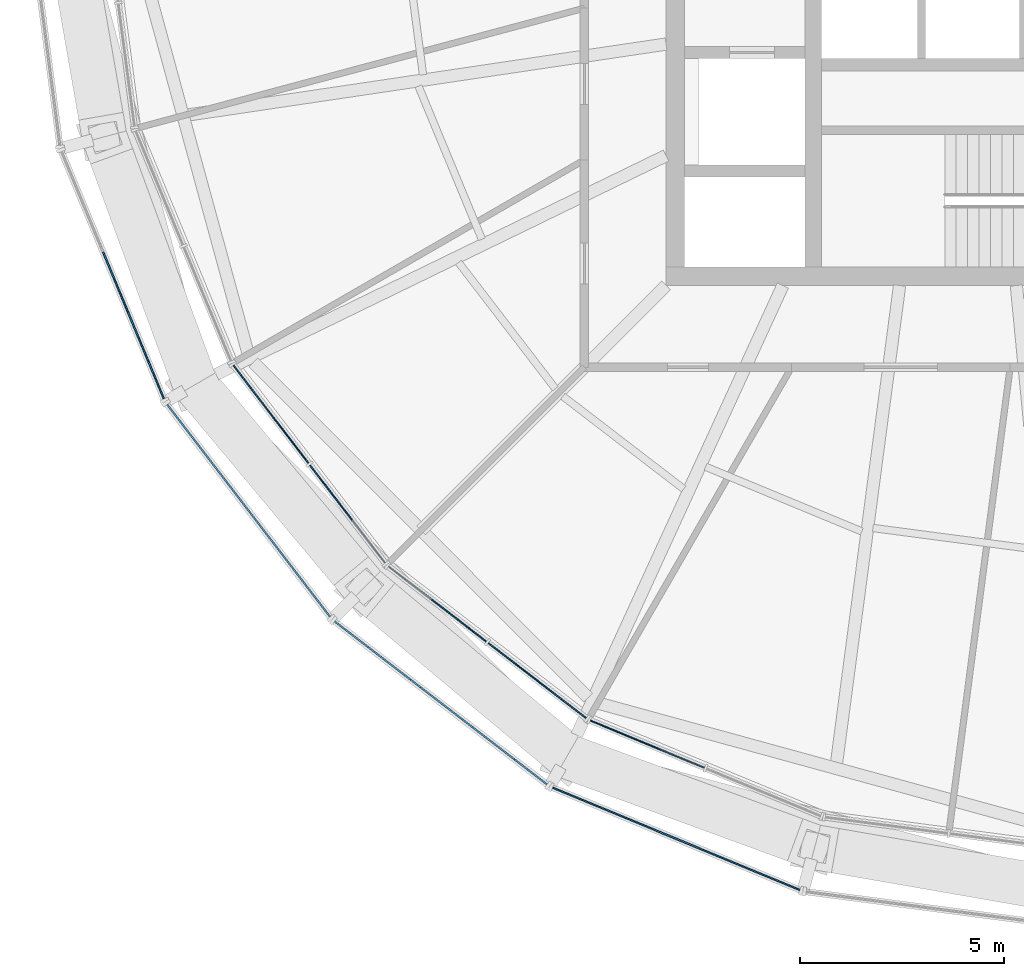
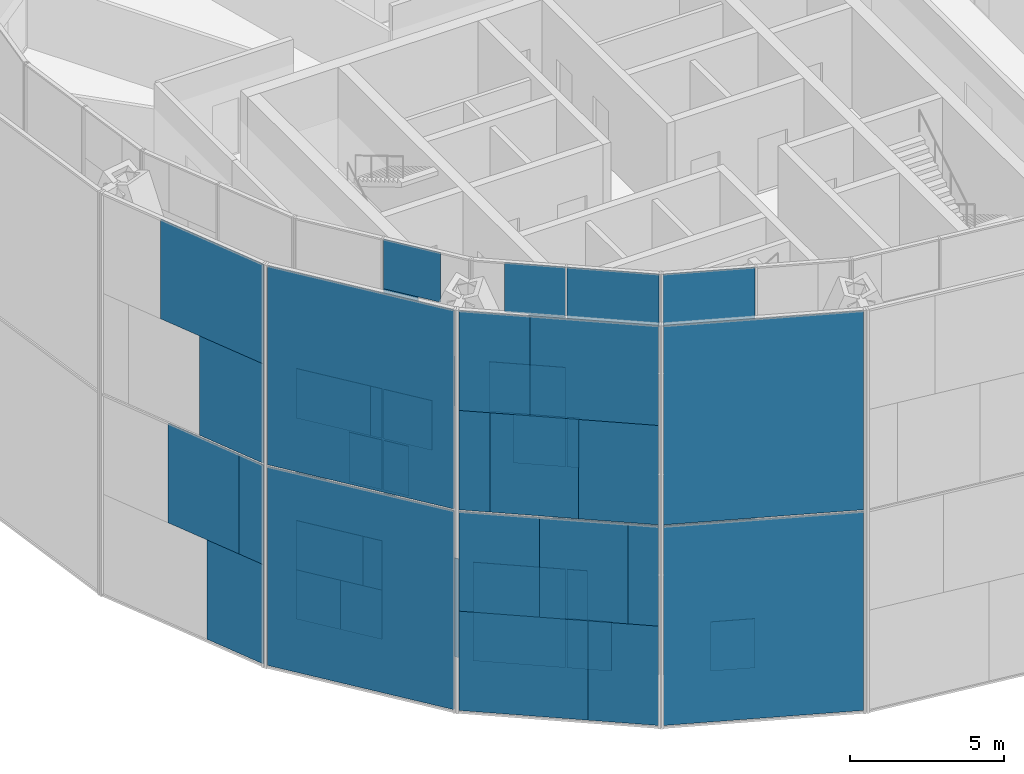
# One storey, part 12 of 28: 62 plates, 7 elements without a shape of their own.
"""IFC4 building model written with IfcOpenShell, lengths in metres."""

from ifc_helpers import new_model, si_unit, direction, frame, origin, origin_2d, place, context, subcontext, project, spatial, rectangle, extrude, material, layer, layer_set, type_object, element, aggregate, save


model = new_model("IFC4")

# Units and contexts
model_context = context("Model", 3, precision=1e-05, world=origin(), true_north=direction((0.0, 1.0)))
body_context = subcontext(model_context, "Body", "Model", "MODEL_VIEW")
ifc_project = project(units=[si_unit("LENGTHUNIT", "METRE"), si_unit("AREAUNIT", "SQUARE_METRE"), si_unit("VOLUMEUNIT", "CUBIC_METRE"), si_unit("PLANEANGLEUNIT", "RADIAN"), si_unit("MASSUNIT", "GRAM", prefix="KILO")], contexts=[model_context])

# Site, building, storey
site_placement = place(None, origin())
site = spatial("IfcSite", under=ifc_project, at=site_placement, CompositionType="ELEMENT")
building_placement = place(site_placement, origin())
building = spatial("IfcBuilding", under=site, at=building_placement, Name="Golbaran Civic Tower", CompositionType="ELEMENT")
storey_placement = place(building_placement, frame((0.0, 0.0, 183.0)))
storey = spatial("IfcBuildingStorey", under=building, at=storey_placement, Name="L44", CompositionType="ELEMENT", Elevation=183.0)

# Curtain wall, plates
ifc_material_1 = material(Name="Aluminium and glass", Category="aluminium")
curtain_wall_type_1 = type_object("IfcCurtainWallType", Name="INNER SKIN CURTAIN WALL EXECUTIVE", PredefinedType="NOTDEFINED", material=ifc_material_1)
curtain_wall_1_placement = place(storey_placement, origin())
curtain_wall_1 = element("IfcCurtainWall", 1, at=curtain_wall_1_placement, inside=storey, type_object=curtain_wall_type_1, Name="Inner skin L44 facet 15 CW2", ObjectType="INNER SKIN", PredefinedType="USERDEFINED")
ifc_material_2 = material(Name="Clear insulating glass", Category="glass")
ifc_layer_1 = layer(ifc_material_2, 0.031982421875, Name="Clear insulating glass")
ifc_layer_set_1 = layer_set([ifc_layer_1], Name="Clear insulating glass")
plate_type_1 = type_object("IfcPlateType", Name="INNER SKIN CURTAIN WALL EXECUTIVE GLAZED PANEL", PredefinedType="CURTAIN_PANEL", material=ifc_layer_set_1)
plate_1_placement = place(storey_placement, frame((-19.192138671875, -13.769287109375, 0.06005859375), z_axis=(0.0, 0.0, 1.0), x_axis=(0.608761428953, -0.793353340334, 0.0)))
plate_1 = element("IfcPlate", 2, at=plate_1_placement, type_object=plate_type_1, Name="CW2 panel 1.1 part 2", PredefinedType="CURTAIN_PANEL", context=body_context, shape_type="SweptSolid", body=[
    extrude(rectangle(XDim=1.458984375, YDim=0.031982421875, at=origin_2d()), origin(), (0.0, 0.0, 1.0), 1.955078125),
])
plate_2_placement = place(storey_placement, frame((-18.951904296875, -14.082275390625, 2.014892578125), z_axis=(0.0, 0.0, 1.0), x_axis=(0.608761428953, -0.793353340334, 0.0)))
plate_2 = element("IfcPlate", 3, at=plate_2_placement, type_object=plate_type_1, Name="CW2 panel 1.1 part 4", PredefinedType="CURTAIN_PANEL", context=body_context, shape_type="SweptSolid", body=[
    extrude(rectangle(XDim=0.670166015625, YDim=0.031982421875, at=origin_2d()), origin(), (0.0, 0.0, 1.0), 1.955078125),
])
plate_3_placement = place(storey_placement, frame((-20.2626953125, -12.3740234375, 4.02978515625), z_axis=(0.0, 0.0, 1.0), x_axis=(0.608761428953, -0.793353340334, 0.0)))
plate_3 = element("IfcPlate", 4, at=plate_3_placement, type_object=plate_type_1, Name="CW2 panel 1.2 part 1", PredefinedType="CURTAIN_PANEL", context=body_context, shape_type="SweptSolid", body=[
    extrude(rectangle(XDim=1.06005859375, YDim=0.031982421875, at=origin_2d()), origin(), (0.0, 0.0, 1.0), 1.969970703125),
])
plate_4_placement = place(storey_placement, frame((-19.788818359375, -12.99169921875, 8.02978515625), z_axis=(0.0, 0.0, 1.0), x_axis=(0.608761428953, -0.793353340334, 0.0)))
plate_4 = element("IfcPlate", 5, at=plate_4_placement, type_object=plate_type_1, Name="CW2 panel 1.3 part 1", PredefinedType="CURTAIN_PANEL", context=body_context, shape_type="SweptSolid", body=[
    extrude(rectangle(XDim=2.616943359375, YDim=0.031982421875, at=origin_2d()), origin(), (0.0, 0.0, 1.0), 1.969970703125),
])
plate_5_placement = place(storey_placement, frame((-17.792724609375, -15.5927734375, 0.06005859375), z_axis=(0.0, 0.0, 1.0), x_axis=(0.608761428953, -0.793353340334, 0.0)))
plate_5 = element("IfcPlate", 6, at=plate_5_placement, type_object=plate_type_1, Name="CW2 panel 2.1", PredefinedType="CURTAIN_PANEL", context=body_context, shape_type="SweptSolid", body=[
    extrude(rectangle(XDim=3.01806640625, YDim=0.031982421875, at=origin_2d()), origin(), (0.0, 0.0, 1.0), 3.909912109375),
])
plate_6_placement = place(storey_placement, frame((-18.34375, -14.874755859375, 12.030029296875), z_axis=(0.0, 0.0, 1.0), x_axis=(0.608761428953, -0.793353340334, 0.0)))
plate_6 = element("IfcPlate", 7, at=plate_6_placement, type_object=plate_type_1, Name="CW2 panel 2.4 part 1", PredefinedType="CURTAIN_PANEL", context=body_context, shape_type="SweptSolid", body=[
    extrude(rectangle(XDim=1.2080078125, YDim=0.031982421875, at=origin_2d()), origin(), (0.0, 0.0, 1.0), 1.955078125),
])
plate_7_placement = place(storey_placement, frame((-18.10400390625, -15.1875, 13.98486328125), z_axis=(0.0, 0.0, 1.0), x_axis=(0.608761428953, -0.793353340334, 0.0)))
plate_7 = element("IfcPlate", 8, at=plate_7_placement, type_object=plate_type_1, Name="CW2 panel 2.4 part 3", PredefinedType="CURTAIN_PANEL", context=body_context, shape_type="SweptSolid", body=[
    extrude(rectangle(XDim=1.99609375, YDim=0.031982421875, at=origin_2d()), origin(), (0.0, 0.0, 1.0), 1.955078125),
])

curtain_wall_2_placement = place(storey_placement, origin())
curtain_wall_2 = element("IfcCurtainWall", 9, at=curtain_wall_2_placement, inside=storey, type_object=curtain_wall_type_1, Name="Inner skin L44 facet 16 CW2", ObjectType="INNER SKIN", PredefinedType="USERDEFINED")
plate_8_placement = place(storey_placement, frame((-15.5927734375, -17.792724609375, 0.06005859375), z_axis=(0.0, 0.0, 1.0), x_axis=(0.793353340334, -0.608761428953, 0.0)))
plate_8 = element("IfcPlate", 10, at=plate_8_placement, type_object=plate_type_1, Name="CW2 panel 1.1", PredefinedType="CURTAIN_PANEL", context=body_context, shape_type="SweptSolid", body=[
    extrude(rectangle(XDim=3.01806640625, YDim=0.031982421875, at=origin_2d()), origin(), (0.0, 0.0, 1.0), 3.909912109375),
])
plate_9_placement = place(storey_placement, frame((-14.874755859375, -18.34375, 12.030029296875), z_axis=(0.0, 0.0, 1.0), x_axis=(0.793353340334, -0.608761428953, 0.0)))
plate_9 = element("IfcPlate", 11, at=plate_9_placement, type_object=plate_type_1, Name="CW2 panel 1.4 part 2", PredefinedType="CURTAIN_PANEL", context=body_context, shape_type="SweptSolid", body=[
    extrude(rectangle(XDim=1.2080078125, YDim=0.031982421875, at=origin_2d()), origin(), (0.0, 0.0, 1.0), 1.955078125),
])
plate_10_placement = place(storey_placement, frame((-15.1875, -18.103759765625, 13.98486328125), z_axis=(0.0, 0.0, 1.0), x_axis=(0.793353340334, -0.608761428953, 0.0)))
plate_10 = element("IfcPlate", 12, at=plate_10_placement, type_object=plate_type_1, Name="CW2 panel 1.4 part 4", PredefinedType="CURTAIN_PANEL", context=body_context, shape_type="SweptSolid", body=[
    extrude(rectangle(XDim=1.99609375, YDim=0.031982421875, at=origin_2d()), origin(), (0.0, 0.0, 1.0), 1.955078125),
])
plate_11_placement = place(storey_placement, frame((-13.769287109375, -19.192138671875, 0.06005859375), z_axis=(0.0, 0.0, 1.0), x_axis=(0.793353340334, -0.608761428953, 0.0)))
plate_11 = element("IfcPlate", 13, at=plate_11_placement, type_object=plate_type_1, Name="CW2 panel 2.1 part 1", PredefinedType="CURTAIN_PANEL", context=body_context, shape_type="SweptSolid", body=[
    extrude(rectangle(XDim=1.458984375, YDim=0.031982421875, at=origin_2d()), origin(), (0.0, 0.0, 1.0), 1.955078125),
])
plate_12_placement = place(storey_placement, frame((-14.082275390625, -18.951904296875, 2.014892578125), z_axis=(0.0, 0.0, 1.0), x_axis=(0.793353340334, -0.608761428953, 0.0)))
plate_12 = element("IfcPlate", 14, at=plate_12_placement, type_object=plate_type_1, Name="CW2 panel 2.1 part 3", PredefinedType="CURTAIN_PANEL", context=body_context, shape_type="SweptSolid", body=[
    extrude(rectangle(XDim=0.669921875, YDim=0.031982421875, at=origin_2d()), origin(), (0.0, 0.0, 1.0), 1.955078125),
])
plate_13_placement = place(storey_placement, frame((-12.3740234375, -20.2626953125, 4.02978515625), z_axis=(0.0, 0.0, 1.0), x_axis=(0.793353340334, -0.608761428953, 0.0)))
plate_13 = element("IfcPlate", 15, at=plate_13_placement, type_object=plate_type_1, Name="CW2 panel 2.2 part 2", PredefinedType="CURTAIN_PANEL", context=body_context, shape_type="SweptSolid", body=[
    extrude(rectangle(XDim=1.06005859375, YDim=0.031982421875, at=origin_2d()), origin(), (0.0, 0.0, 1.0), 1.969970703125),
])
plate_14_placement = place(storey_placement, frame((-12.689453125, -20.0205078125, 6.0), z_axis=(0.0, 0.0, 1.0), x_axis=(0.793353340334, -0.608761428953, 0.0)))
plate_14 = element("IfcPlate", 16, at=plate_14_placement, type_object=plate_type_1, Name="CW2 panel 2.2 part 4", PredefinedType="CURTAIN_PANEL", context=body_context, shape_type="SweptSolid", body=[
    extrude(rectangle(XDim=1.85498046875, YDim=0.031982421875, at=origin_2d()), origin(), (0.0, 0.0, 1.0), 1.969970703125),
])
plate_15_placement = place(storey_placement, frame((-12.99169921875, -19.78857421875, 8.02978515625), z_axis=(0.0, 0.0, 1.0), x_axis=(0.793353340334, -0.608761428953, 0.0)))
plate_15 = element("IfcPlate", 17, at=plate_15_placement, type_object=plate_type_1, Name="CW2 panel 2.3 part 2", PredefinedType="CURTAIN_PANEL", context=body_context, shape_type="SweptSolid", body=[
    extrude(rectangle(XDim=2.6171875, YDim=0.031982421875, at=origin_2d()), origin(), (0.0, 0.0, 1.0), 1.969970703125),
])
plate_16_placement = place(storey_placement, frame((-13.15087890625, -19.66650390625, 10.0), z_axis=(0.0, 0.0, 1.0), x_axis=(0.793353340334, -0.608761428953, 0.0)))
plate_16 = element("IfcPlate", 18, at=plate_16_placement, type_object=plate_type_1, Name="CW2 panel 2.3 part 3", PredefinedType="CURTAIN_PANEL", context=body_context, shape_type="SweptSolid", body=[
    extrude(rectangle(XDim=3.01806640625, YDim=0.031982421875, at=origin_2d()), origin(), (0.0, 0.0, 1.0), 1.969970703125),
])
plate_17_placement = place(storey_placement, frame((-13.15087890625, -19.66650390625, 12.0302734375), z_axis=(0.0, 0.0, 1.0), x_axis=(0.793353340334, -0.608761428953, 0.0)))
plate_17 = element("IfcPlate", 19, at=plate_17_placement, type_object=plate_type_1, Name="CW2 panel 2.4", PredefinedType="CURTAIN_PANEL", context=body_context, shape_type="SweptSolid", body=[
    extrude(rectangle(XDim=3.01806640625, YDim=0.031982421875, at=origin_2d()), origin(), (0.0, 0.0, 1.0), 3.909912109375),
])

curtain_wall_3_placement = place(storey_placement, origin())
curtain_wall_3 = element("IfcCurtainWall", 20, at=curtain_wall_3_placement, inside=storey, type_object=curtain_wall_type_1, Name="Inner skin L44 facet 17 CW2", ObjectType="INNER SKIN", PredefinedType="USERDEFINED")
plate_18_placement = place(storey_placement, frame((-9.736328125, -21.5205078125, 0.06005859375), z_axis=(0.0, 0.0, 1.0), x_axis=(0.923879532491, -0.382683432413, 0.0)))
plate_18 = element("IfcPlate", 21, at=plate_18_placement, type_object=plate_type_1, Name="CW2 panel 1.1 part 2", PredefinedType="CURTAIN_PANEL", context=body_context, shape_type="SweptSolid", body=[
    extrude(rectangle(XDim=1.458984375, YDim=0.031982421875, at=origin_2d()), origin(), (0.0, 0.0, 1.0), 1.955078125),
])
plate_19_placement = place(storey_placement, frame((-11.36083984375, -20.84765625, 4.02978515625), z_axis=(0.0, 0.0, 1.0), x_axis=(0.923879532491, -0.382683432413, 0.0)))
plate_19 = element("IfcPlate", 22, at=plate_19_placement, type_object=plate_type_1, Name="CW2 panel 1.2 part 1", PredefinedType="CURTAIN_PANEL", context=body_context, shape_type="SweptSolid", body=[
    extrude(rectangle(XDim=1.06005859375, YDim=0.031982421875, at=origin_2d()), origin(), (0.0, 0.0, 1.0), 1.969970703125),
])
plate_20_placement = place(storey_placement, frame((-10.99365234375, -20.999755859375, 6.0), z_axis=(0.0, 0.0, 1.0), x_axis=(0.923879532491, -0.382683432413, 0.0)))
plate_20 = element("IfcPlate", 23, at=plate_20_placement, type_object=plate_type_1, Name="CW2 panel 1.2 part 3", PredefinedType="CURTAIN_PANEL", context=body_context, shape_type="SweptSolid", body=[
    extrude(rectangle(XDim=1.85498046875, YDim=0.031982421875, at=origin_2d()), origin(), (0.0, 0.0, 1.0), 1.969970703125),
])
plate_21_placement = place(storey_placement, frame((-10.6416015625, -21.1455078125, 8.02978515625), z_axis=(0.0, 0.0, 1.0), x_axis=(0.923879532491, -0.382683432413, 0.0)))
plate_21 = element("IfcPlate", 24, at=plate_21_placement, type_object=plate_type_1, Name="CW2 panel 1.3 part 1", PredefinedType="CURTAIN_PANEL", context=body_context, shape_type="SweptSolid", body=[
    extrude(rectangle(XDim=2.616943359375, YDim=0.031982421875, at=origin_2d()), origin(), (0.0, 0.0, 1.0), 1.969970703125),
])
plate_22_placement = place(storey_placement, frame((-10.456298828125, -21.22216796875, 10.0), z_axis=(0.0, 0.0, 1.0), x_axis=(0.923879532491, -0.382683432413, 0.0)))
plate_22 = element("IfcPlate", 25, at=plate_22_placement, type_object=plate_type_1, Name="CW2 panel 1.3 part 3", PredefinedType="CURTAIN_PANEL", context=body_context, shape_type="SweptSolid", body=[
    extrude(rectangle(XDim=3.01806640625, YDim=0.031982421875, at=origin_2d()), origin(), (0.0, 0.0, 1.0), 1.969970703125),
])
plate_23_placement = place(storey_placement, frame((-10.456298828125, -21.22216796875, 12.0302734375), z_axis=(0.0, 0.0, 1.0), x_axis=(0.923879532491, -0.382683432413, 0.0)))
plate_23 = element("IfcPlate", 26, at=plate_23_placement, type_object=plate_type_1, Name="CW2 panel 1.4", PredefinedType="CURTAIN_PANEL", context=body_context, shape_type="SweptSolid", body=[
    extrude(rectangle(XDim=3.01806640625, YDim=0.031982421875, at=origin_2d()), origin(), (0.0, 0.0, 1.0), 3.909912109375),
])

# Plate
ifc_material_3 = material(Name="Aluminium faced opaque infill panel", Category="aluminium")
ifc_layer_2 = layer(ifc_material_3, 0.031982421875, Name="Aluminium faced opaque infill panel")
ifc_layer_set_2 = layer_set([ifc_layer_2], Name="Aluminium faced opaque infill panel")
plate_type_2 = type_object("IfcPlateType", Name="INNER SKIN CURTAIN WALL EXECUTIVE OPAQUE INFILL PANEL", PredefinedType="CURTAIN_PANEL", material=ifc_layer_set_2)
plate_24_placement = place(storey_placement, frame((-20.11083984375, -12.572021484375, 0.06005859375), z_axis=(0.0, 0.0, 1.0), x_axis=(0.608761428953, -0.793353340334, 0.0)))
plate_24 = element("IfcPlate", 27, at=plate_24_placement, type_object=plate_type_2, Name="CW2 infill panel 1.1 part 1", PredefinedType="CURTAIN_PANEL", context=body_context, shape_type="SweptSolid", body=[
    extrude(rectangle(XDim=1.55908203125, YDim=0.031982421875, at=origin_2d()), origin(), (0.0, 0.0, 1.0), 1.955078125),
])

plate_25_placement = place(storey_placement, frame((-19.87060546875, -12.885009765625, 2.014892578125), z_axis=(0.0, 0.0, 1.0), x_axis=(0.608761428953, -0.793353340334, 0.0)))
plate_25 = element("IfcPlate", 28, at=plate_25_placement, type_object=plate_type_2, Name="CW2 infill panel 1.1 part 3", PredefinedType="CURTAIN_PANEL", context=body_context, shape_type="SweptSolid", body=[
    extrude(rectangle(XDim=2.347900390625, YDim=0.031982421875, at=origin_2d()), origin(), (0.0, 0.0, 1.0), 1.955078125),
])

plate_26_placement = place(storey_placement, frame((-19.10205078125, -13.88671875, 6.0), z_axis=(0.0, 0.0, 1.0), x_axis=(0.608761428953, -0.793353340334, 0.0)))
plate_26 = element("IfcPlate", 29, at=plate_26_placement, type_object=plate_type_2, Name="CW2 infill panel 1.2 part 4", PredefinedType="CURTAIN_PANEL", context=body_context, shape_type="SweptSolid", body=[
    extrude(rectangle(XDim=1.1630859375, YDim=0.031982421875, at=origin_2d()), origin(), (0.0, 0.0, 1.0), 1.969970703125),
])

plate_27_placement = place(storey_placement, frame((-18.8701171875, -14.18896484375, 8.02978515625), z_axis=(0.0, 0.0, 1.0), x_axis=(0.608761428953, -0.793353340334, 0.0)))
plate_27 = element("IfcPlate", 30, at=plate_27_placement, type_object=plate_type_2, Name="CW2 infill panel 1.3 part 2", PredefinedType="CURTAIN_PANEL", context=body_context, shape_type="SweptSolid", body=[
    extrude(rectangle(XDim=0.401123046875, YDim=0.031982421875, at=origin_2d()), origin(), (0.0, 0.0, 1.0), 1.969970703125),
])

plate_28_placement = place(storey_placement, frame((-18.589599609375, -14.55419921875, 4.02978515625), z_axis=(0.0, 0.0, 1.0), x_axis=(0.608761428953, -0.793353340334, 0.0)))
plate_28 = element("IfcPlate", 31, at=plate_28_placement, type_object=plate_type_2, Name="CW2 infill panel 2.2 part 1", PredefinedType="CURTAIN_PANEL", context=body_context, shape_type="SweptSolid", body=[
    extrude(rectangle(XDim=0.39990234375, YDim=0.031982421875, at=origin_2d()), origin(), (0.0, 0.0, 1.0), 1.969970703125),
])

plate_29_placement = place(storey_placement, frame((-18.44287109375, -14.745361328125, 6.0), z_axis=(0.0, 0.0, 1.0), x_axis=(0.608761428953, -0.793353340334, 0.0)))
plate_29 = element("IfcPlate", 32, at=plate_29_placement, type_object=plate_type_2, Name="CW2 infill panel 2.2 part 3", PredefinedType="CURTAIN_PANEL", context=body_context, shape_type="SweptSolid", body=[
    extrude(rectangle(XDim=0.882080078125, YDim=0.031982421875, at=origin_2d()), origin(), (0.0, 0.0, 1.0), 1.969970703125),
])

plate_30_placement = place(storey_placement, frame((-18.193603515625, -15.0703125, 8.02978515625), z_axis=(0.0, 0.0, 1.0), x_axis=(0.608761428953, -0.793353340334, 0.0)))
plate_30 = element("IfcPlate", 33, at=plate_30_placement, type_object=plate_type_2, Name="CW2 infill panel 2.3 part 1", PredefinedType="CURTAIN_PANEL", context=body_context, shape_type="SweptSolid", body=[
    extrude(rectangle(XDim=1.700927734375, YDim=0.031982421875, at=origin_2d()), origin(), (0.0, 0.0, 1.0), 1.969970703125),
])

plate_31_placement = place(storey_placement, frame((-17.951904296875, -15.38525390625, 10.0), z_axis=(0.0, 0.0, 1.0), x_axis=(0.608761428953, -0.793353340334, 0.0)))
plate_31 = element("IfcPlate", 34, at=plate_31_placement, type_object=plate_type_2, Name="CW2 infill panel 2.3 part 3", PredefinedType="CURTAIN_PANEL", context=body_context, shape_type="SweptSolid", body=[
    extrude(rectangle(XDim=2.4951171875, YDim=0.031982421875, at=origin_2d()), origin(), (0.0, 0.0, 1.0), 1.969970703125),
])

aggregate(curtain_wall_1, [plate_24, plate_1, plate_25, plate_2, plate_3, plate_26, plate_4, plate_27, plate_5, plate_28, plate_29, plate_30, plate_31, plate_6, plate_7])

plate_32_placement = place(storey_placement, frame((-14.5546875, -18.58935546875, 4.02978515625), z_axis=(0.0, 0.0, 1.0), x_axis=(0.793353340334, -0.608761428953, 0.0)))
plate_32 = element("IfcPlate", 35, at=plate_32_placement, type_object=plate_type_2, Name="CW2 infill panel 1.2 part 2", PredefinedType="CURTAIN_PANEL", context=body_context, shape_type="SweptSolid", body=[
    extrude(rectangle(XDim=0.401123046875, YDim=0.031982421875, at=origin_2d()), origin(), (0.0, 0.0, 1.0), 1.969970703125),
])

plate_33_placement = place(storey_placement, frame((-14.74560546875, -18.44287109375, 6.0), z_axis=(0.0, 0.0, 1.0), x_axis=(0.793353340334, -0.608761428953, 0.0)))
plate_33 = element("IfcPlate", 36, at=plate_33_placement, type_object=plate_type_2, Name="CW2 infill panel 1.2 part 4", PredefinedType="CURTAIN_PANEL", context=body_context, shape_type="SweptSolid", body=[
    extrude(rectangle(XDim=0.882080078125, YDim=0.031982421875, at=origin_2d()), origin(), (0.0, 0.0, 1.0), 1.969970703125),
])

plate_34_placement = place(storey_placement, frame((-15.0703125, -18.193603515625, 8.02978515625), z_axis=(0.0, 0.0, 1.0), x_axis=(0.793353340334, -0.608761428953, 0.0)))
plate_34 = element("IfcPlate", 37, at=plate_34_placement, type_object=plate_type_2, Name="CW2 infill panel 1.3 part 2", PredefinedType="CURTAIN_PANEL", context=body_context, shape_type="SweptSolid", body=[
    extrude(rectangle(XDim=1.701171875, YDim=0.031982421875, at=origin_2d()), origin(), (0.0, 0.0, 1.0), 1.969970703125),
])

plate_35_placement = place(storey_placement, frame((-15.38525390625, -17.951904296875, 10.0), z_axis=(0.0, 0.0, 1.0), x_axis=(0.793353340334, -0.608761428953, 0.0)))
plate_35 = element("IfcPlate", 38, at=plate_35_placement, type_object=plate_type_2, Name="CW2 infill panel 1.3 part 4", PredefinedType="CURTAIN_PANEL", context=body_context, shape_type="SweptSolid", body=[
    extrude(rectangle(XDim=2.4951171875, YDim=0.031982421875, at=origin_2d()), origin(), (0.0, 0.0, 1.0), 1.969970703125),
])

plate_36_placement = place(storey_placement, frame((-12.572021484375, -20.110595703125, 0.06005859375), z_axis=(0.0, 0.0, 1.0), x_axis=(0.793353340334, -0.608761428953, 0.0)))
plate_36 = element("IfcPlate", 39, at=plate_36_placement, type_object=plate_type_2, Name="CW2 infill panel 2.1 part 2", PredefinedType="CURTAIN_PANEL", context=body_context, shape_type="SweptSolid", body=[
    extrude(rectangle(XDim=1.55908203125, YDim=0.031982421875, at=origin_2d()), origin(), (0.0, 0.0, 1.0), 1.955078125),
])

plate_37_placement = place(storey_placement, frame((-12.885009765625, -19.87060546875, 2.014892578125), z_axis=(0.0, 0.0, 1.0), x_axis=(0.793353340334, -0.608761428953, 0.0)))
plate_37 = element("IfcPlate", 40, at=plate_37_placement, type_object=plate_type_2, Name="CW2 infill panel 2.1 part 4", PredefinedType="CURTAIN_PANEL", context=body_context, shape_type="SweptSolid", body=[
    extrude(rectangle(XDim=2.34814453125, YDim=0.031982421875, at=origin_2d()), origin(), (0.0, 0.0, 1.0), 1.955078125),
])

plate_38_placement = place(storey_placement, frame((-13.5712890625, -19.343994140625, 4.02978515625), z_axis=(0.0, 0.0, 1.0), x_axis=(0.793353340334, -0.608761428953, 0.0)))
plate_38 = element("IfcPlate", 41, at=plate_38_placement, type_object=plate_type_2, Name="CW2 infill panel 2.2 part 1", PredefinedType="CURTAIN_PANEL", context=body_context, shape_type="SweptSolid", body=[
    extrude(rectangle(XDim=1.9580078125, YDim=0.031982421875, at=origin_2d()), origin(), (0.0, 0.0, 1.0), 1.969970703125),
])

plate_39_placement = place(storey_placement, frame((-13.88671875, -19.10205078125, 6.0), z_axis=(0.0, 0.0, 1.0), x_axis=(0.793353340334, -0.608761428953, 0.0)))
plate_39 = element("IfcPlate", 42, at=plate_39_placement, type_object=plate_type_2, Name="CW2 infill panel 2.2 part 3", PredefinedType="CURTAIN_PANEL", context=body_context, shape_type="SweptSolid", body=[
    extrude(rectangle(XDim=1.1630859375, YDim=0.031982421875, at=origin_2d()), origin(), (0.0, 0.0, 1.0), 1.969970703125),
])

plate_40_placement = place(storey_placement, frame((-14.18896484375, -18.8701171875, 8.02978515625), z_axis=(0.0, 0.0, 1.0), x_axis=(0.793353340334, -0.608761428953, 0.0)))
plate_40 = element("IfcPlate", 43, at=plate_40_placement, type_object=plate_type_2, Name="CW2 infill panel 2.3 part 1", PredefinedType="CURTAIN_PANEL", context=body_context, shape_type="SweptSolid", body=[
    extrude(rectangle(XDim=0.40087890625, YDim=0.031982421875, at=origin_2d()), origin(), (0.0, 0.0, 1.0), 1.969970703125),
])

aggregate(curtain_wall_2, [plate_8, plate_32, plate_33, plate_34, plate_35, plate_9, plate_10, plate_11, plate_36, plate_12, plate_37, plate_38, plate_13, plate_39, plate_14, plate_40, plate_15, plate_16, plate_17])

plate_41_placement = place(storey_placement, frame((-11.13037109375, -20.943115234375, 0.06005859375), z_axis=(0.0, 0.0, 1.0), x_axis=(0.923879532491, -0.382683432413, 0.0)))
plate_41 = element("IfcPlate", 44, at=plate_41_placement, type_object=plate_type_2, Name="CW2 infill panel 1.1 part 1", PredefinedType="CURTAIN_PANEL", context=body_context, shape_type="SweptSolid", body=[
    extrude(rectangle(XDim=1.55908203125, YDim=0.031982421875, at=origin_2d()), origin(), (0.0, 0.0, 1.0), 1.955078125),
])

plate_42_placement = place(storey_placement, frame((-10.765869140625, -21.093994140625, 2.014892578125), z_axis=(0.0, 0.0, 1.0), x_axis=(0.923879532491, -0.382683432413, 0.0)))
plate_42 = element("IfcPlate", 45, at=plate_42_placement, type_object=plate_type_2, Name="CW2 infill panel 1.1 part 3", PredefinedType="CURTAIN_PANEL", context=body_context, shape_type="SweptSolid", body=[
    extrude(rectangle(XDim=2.347900390625, YDim=0.031982421875, at=origin_2d()), origin(), (0.0, 0.0, 1.0), 1.955078125),
])

plate_43_placement = place(storey_placement, frame((-9.966796875, -21.425048828125, 4.02978515625), z_axis=(0.0, 0.0, 1.0), x_axis=(0.923879532491, -0.382683432413, 0.0)))
plate_43 = element("IfcPlate", 46, at=plate_43_placement, type_object=plate_type_2, Name="CW2 infill panel 1.2 part 2", PredefinedType="CURTAIN_PANEL", context=body_context, shape_type="SweptSolid", body=[
    extrude(rectangle(XDim=1.9580078125, YDim=0.031982421875, at=origin_2d()), origin(), (0.0, 0.0, 1.0), 1.969970703125),
])

aggregate(curtain_wall_3, [plate_41, plate_18, plate_42, plate_19, plate_43, plate_20, plate_21, plate_22, plate_23])

# Curtain wall, plates
curtain_wall_type_2 = type_object("IfcCurtainWallType", Name="OUTER SKIN TERRACOTTA SCREEN", PredefinedType="NOTDEFINED", material=ifc_material_1)
curtain_wall_4_placement = place(storey_placement, origin())
curtain_wall_4 = element("IfcCurtainWall", 47, at=curtain_wall_4_placement, inside=storey, type_object=curtain_wall_type_2, Name="Outer skin L44 facet 14 CW3", ObjectType="OUTER SKIN", PredefinedType="USERDEFINED")
ifc_material_4 = material(Name="Clear laminated glass", Category="glass")
ifc_layer_3 = layer(ifc_material_4, 0.0400390625, Name="Clear laminated glass")
ifc_layer_set_3 = layer_set([ifc_layer_3], Name="Clear laminated glass")
plate_type_3 = type_object("IfcPlateType", Name="OUTER SKIN CLEAR GLASS PANEL", PredefinedType="CURTAIN_PANEL", material=ifc_layer_set_3)
plate_44_placement = place(storey_placement, frame((-22.4755859375, -12.314453125, 3.31005859375), z_axis=(0.0, 0.0, 1.0), x_axis=(0.382683432349, -0.923879532518, 0.0)))
plate_44 = element("IfcPlate", 48, at=plate_44_placement, type_object=plate_type_3, Name="CW3 panel 1.1 part 5", PredefinedType="CURTAIN_PANEL", context=body_context, shape_type="SweptSolid", body=[
    extrude(rectangle(XDim=0.996337890625, YDim=0.0400390625, at=origin_2d()), origin(), (0.0, 0.0, 1.0), 3.93994140625),
])
plate_45_placement = place(storey_placement, frame((-22.78564453125, -11.565673828125, 7.330078125), z_axis=(0.0, 0.0, 1.0), x_axis=(0.382683432349, -0.923879532518, 0.0)))
plate_45 = element("IfcPlate", 49, at=plate_45_placement, type_object=plate_type_3, Name="CW3 panel 1.2 part 3", PredefinedType="CURTAIN_PANEL", context=body_context, shape_type="SweptSolid", body=[
    extrude(rectangle(XDim=2.6171875, YDim=0.0400390625, at=origin_2d()), origin(), (0.0, 0.0, 1.0), 3.93994140625),
])
plate_46_placement = place(storey_placement, frame((-23.090087890625, -10.83056640625, 11.27001953125), z_axis=(0.0, 0.0, 1.0), x_axis=(0.382683432349, -0.923879532518, 0.0)))
plate_46 = element("IfcPlate", 50, at=plate_46_placement, type_object=plate_type_3, Name="CW3 panel 1.2 part 5", PredefinedType="CURTAIN_PANEL", context=body_context, shape_type="SweptSolid", body=[
    extrude(rectangle(XDim=4.208251953125, YDim=0.0400390625, at=origin_2d()), origin(), (0.0, 0.0, 1.0), 3.93994140625),
])

curtain_wall_5_placement = place(storey_placement, origin())
curtain_wall_5 = element("IfcCurtainWall", 51, at=curtain_wall_5_placement, inside=storey, type_object=curtain_wall_type_2, Name="Outer skin L44 facet 16 CW3", ObjectType="OUTER SKIN", PredefinedType="USERDEFINED")
plate_47_placement = place(storey_placement, frame((-16.4248046875, -19.510009765625, -0.6298828125), z_axis=(0.0, 0.0, 1.0), x_axis=(0.793353340281, -0.608761429023, 0.0)))
plate_47 = element("IfcPlate", 52, at=plate_47_placement, type_object=plate_type_3, Name="CW3 panel 1.1 part 1", PredefinedType="CURTAIN_PANEL", context=body_context, shape_type="SweptSolid", body=[
    extrude(rectangle(XDim=4.240966796875, YDim=0.0400390625, at=origin_2d()), origin(), (0.0, 0.0, 1.0), 3.93994140625),
])
plate_48_placement = place(storey_placement, frame((-17.05517578125, -19.0263671875, 3.31005859375), z_axis=(0.0, 0.0, 1.0), x_axis=(0.793353340281, -0.608761429023, 0.0)))
plate_48 = element("IfcPlate", 53, at=plate_48_placement, type_object=plate_type_3, Name="CW3 panel 1.1 part 3", PredefinedType="CURTAIN_PANEL", context=body_context, shape_type="SweptSolid", body=[
    extrude(rectangle(XDim=2.652099609375, YDim=0.0400390625, at=origin_2d()), origin(), (0.0, 0.0, 1.0), 3.93994140625),
])
plate_49_placement = place(storey_placement, frame((-13.30712890625, -21.90234375, 3.31005859375), z_axis=(0.0, 0.0, 1.0), x_axis=(0.793353340281, -0.608761429023, 0.0)))
plate_49 = element("IfcPlate", 54, at=plate_49_placement, type_object=plate_type_3, Name="CW3 panel 1.1 part 5", PredefinedType="CURTAIN_PANEL", context=body_context, shape_type="SweptSolid", body=[
    extrude(rectangle(XDim=0.996337890625, YDim=0.0400390625, at=origin_2d()), origin(), (0.0, 0.0, 1.0), 3.93994140625),
])
plate_50_placement = place(storey_placement, frame((-17.697998046875, -18.532958984375, 7.330078125), z_axis=(0.0, 0.0, 1.0), x_axis=(0.793353340281, -0.608761429023, 0.0)))
plate_50 = element("IfcPlate", 55, at=plate_50_placement, type_object=plate_type_3, Name="CW3 panel 1.2 part 1", PredefinedType="CURTAIN_PANEL", context=body_context, shape_type="SweptSolid", body=[
    extrude(rectangle(XDim=1.031005859375, YDim=0.0400390625, at=origin_2d()), origin(), (0.0, 0.0, 1.0), 3.93994140625),
])
plate_51_placement = place(storey_placement, frame((-13.9501953125, -21.408935546875, 7.330078125), z_axis=(0.0, 0.0, 1.0), x_axis=(0.793353340281, -0.608761429023, 0.0)))
plate_51 = element("IfcPlate", 56, at=plate_51_placement, type_object=plate_type_3, Name="CW3 panel 1.2 part 3", PredefinedType="CURTAIN_PANEL", context=body_context, shape_type="SweptSolid", body=[
    extrude(rectangle(XDim=2.6171875, YDim=0.0400390625, at=origin_2d()), origin(), (0.0, 0.0, 1.0), 3.93994140625),
])
plate_52_placement = place(storey_placement, frame((-14.581298828125, -20.924560546875, 11.27001953125), z_axis=(0.0, 0.0, 1.0), x_axis=(0.793353340281, -0.608761429023, 0.0)))
plate_52 = element("IfcPlate", 57, at=plate_52_placement, type_object=plate_type_3, Name="CW3 panel 1.2 part 5", PredefinedType="CURTAIN_PANEL", context=body_context, shape_type="SweptSolid", body=[
    extrude(rectangle(XDim=4.208251953125, YDim=0.0400390625, at=origin_2d()), origin(), (0.0, 0.0, 1.0), 3.93994140625),
])

# Plate
ifc_material_5 = material(Name="Terracotta baguette screen", Category="masonry")
ifc_layer_4 = layer(ifc_material_5, 0.0400390625, Name="Terracotta baguette screen")
ifc_layer_set_4 = layer_set([ifc_layer_4], Name="Terracotta baguette screen")
plate_type_4 = type_object("IfcPlateType", Name="OUTER SKIN TERRACOTTA INFILL PANEL", PredefinedType="CURTAIN_PANEL", material=ifc_layer_set_4)
plate_53_placement = place(storey_placement, frame((-22.726318359375, -11.708740234375, -0.6298828125), z_axis=(0.0, 0.0, 1.0), x_axis=(0.382683432349, -0.923879532518, 0.0)))
plate_53 = element("IfcPlate", 58, at=plate_53_placement, type_object=plate_type_4, Name="CW3 infill panel 1.1 part 2", PredefinedType="CURTAIN_PANEL", context=body_context, shape_type="SweptSolid", body=[
    extrude(rectangle(XDim=2.307373046875, YDim=0.0400390625, at=origin_2d()), origin(), (0.0, 0.0, 1.0), 3.93994140625),
])

plate_54_placement = place(storey_placement, frame((-23.220947265625, -10.5146484375, 3.31005859375), z_axis=(0.0, 0.0, 1.0), x_axis=(0.382683432349, -0.923879532518, 0.0)))
plate_54 = element("IfcPlate", 59, at=plate_54_placement, type_object=plate_type_4, Name="CW3 infill panel 1.1 part 4", PredefinedType="CURTAIN_PANEL", context=body_context, shape_type="SweptSolid", body=[
    extrude(rectangle(XDim=2.89990234375, YDim=0.0400390625, at=origin_2d()), origin(), (0.0, 0.0, 1.0), 3.93994140625),
])

aggregate(curtain_wall_4, [plate_53, plate_54, plate_44, plate_45, plate_46])

plate_55_placement = place(storey_placement, frame((-13.8271484375, -21.503173828125, -0.6298828125), z_axis=(0.0, 0.0, 1.0), x_axis=(0.793353340281, -0.608761429023, 0.0)))
plate_55 = element("IfcPlate", 60, at=plate_55_placement, type_object=plate_type_4, Name="CW3 infill panel 1.1 part 2", PredefinedType="CURTAIN_PANEL", context=body_context, shape_type="SweptSolid", body=[
    extrude(rectangle(XDim=2.307373046875, YDim=0.0400390625, at=origin_2d()), origin(), (0.0, 0.0, 1.0), 3.93994140625),
])

plate_56_placement = place(storey_placement, frame((-14.852783203125, -20.71630859375, 3.31005859375), z_axis=(0.0, 0.0, 1.0), x_axis=(0.793353340281, -0.608761429023, 0.0)))
plate_56 = element("IfcPlate", 61, at=plate_56_placement, type_object=plate_type_4, Name="CW3 infill panel 1.1 part 4", PredefinedType="CURTAIN_PANEL", context=body_context, shape_type="SweptSolid", body=[
    extrude(rectangle(XDim=2.89990234375, YDim=0.0400390625, at=origin_2d()), origin(), (0.0, 0.0, 1.0), 3.93994140625),
])

plate_57_placement = place(storey_placement, frame((-16.138671875, -19.7294921875, 7.330078125), z_axis=(0.0, 0.0, 1.0), x_axis=(0.793353340281, -0.608761429023, 0.0)))
plate_57 = element("IfcPlate", 62, at=plate_57_placement, type_object=plate_type_4, Name="CW3 infill panel 1.2 part 2", PredefinedType="CURTAIN_PANEL", context=body_context, shape_type="SweptSolid", body=[
    extrude(rectangle(XDim=2.89990234375, YDim=0.0400390625, at=origin_2d()), origin(), (0.0, 0.0, 1.0), 3.93994140625),
])

plate_58_placement = place(storey_placement, frame((-17.1787109375, -18.931396484375, 11.27001953125), z_axis=(0.0, 0.0, 1.0), x_axis=(0.793353340281, -0.608761429023, 0.0)))
plate_58 = element("IfcPlate", 63, at=plate_58_placement, type_object=plate_type_4, Name="CW3 infill panel 1.2 part 4", PredefinedType="CURTAIN_PANEL", context=body_context, shape_type="SweptSolid", body=[
    extrude(rectangle(XDim=2.340087890625, YDim=0.0400390625, at=origin_2d()), origin(), (0.0, 0.0, 1.0), 3.93994140625),
])

aggregate(curtain_wall_5, [plate_47, plate_55, plate_48, plate_56, plate_49, plate_50, plate_57, plate_51, plate_58, plate_52])

# Curtain wall, plates
curtain_wall_6_placement = place(storey_placement, origin())
curtain_wall_6 = element("IfcCurtainWall", 64, at=curtain_wall_6_placement, inside=storey, type_object=curtain_wall_type_2, Name="Outer skin L44 facet 15 CW3", ObjectType="OUTER SKIN", PredefinedType="USERDEFINED")
ifc_layer_5 = layer(ifc_material_5, 0.0400390625, Name="Terracotta baguette screen")
ifc_layer_set_5 = layer_set([ifc_layer_5], Name="Terracotta baguette screen")
plate_type_5 = type_object("IfcPlateType", Name="OUTER SKIN TERRACOTTA SCREEN PANEL", PredefinedType="CURTAIN_PANEL", material=ifc_layer_set_5)
plate_59_placement = place(storey_placement, frame((-20.21240234375, -15.509521484375, -0.6298828125), z_axis=(0.0, 0.0, 1.0), x_axis=(0.608761429023, -0.793353340281, 0.0)))
plate_59 = element("IfcPlate", 65, at=plate_59_placement, type_object=plate_type_5, Name="CW3 terracotta screen panel 1.1", PredefinedType="CURTAIN_PANEL", context=body_context, shape_type="SweptSolid", body=[
    extrude(rectangle(XDim=6.54833984375, YDim=0.0400390625, at=origin_2d()), origin(), (0.0, 0.0, 1.0), 7.8798828125),
])
plate_60_placement = place(storey_placement, frame((-20.21240234375, -15.509521484375, 7.330078125), z_axis=(0.0, 0.0, 1.0), x_axis=(0.608761429023, -0.793353340281, 0.0)))
plate_60 = element("IfcPlate", 66, at=plate_60_placement, type_object=plate_type_5, Name="CW3 terracotta screen panel 1.2", PredefinedType="CURTAIN_PANEL", context=body_context, shape_type="SweptSolid", body=[
    extrude(rectangle(XDim=6.54833984375, YDim=0.0400390625, at=origin_2d()), origin(), (0.0, 0.0, 1.0), 7.8798828125),
])
aggregate(curtain_wall_6, [plate_59, plate_60])

curtain_wall_7_placement = place(storey_placement, origin())
curtain_wall_7 = element("IfcCurtainWall", 67, at=curtain_wall_7_placement, inside=storey, type_object=curtain_wall_type_2, Name="Outer skin L44 facet 17 CW3", ObjectType="OUTER SKIN", PredefinedType="USERDEFINED")
plate_61_placement = place(storey_placement, frame((-9.749755859375, -23.537841796875, -0.6298828125), z_axis=(0.0, 0.0, 1.0), x_axis=(0.923879532518, -0.382683432349, 0.0)))
plate_61 = element("IfcPlate", 68, at=plate_61_placement, type_object=plate_type_5, Name="CW3 terracotta screen panel 1.1", PredefinedType="CURTAIN_PANEL", context=body_context, shape_type="SweptSolid", body=[
    extrude(rectangle(XDim=6.54833984375, YDim=0.0400390625, at=origin_2d()), origin(), (0.0, 0.0, 1.0), 7.8798828125),
])
plate_62_placement = place(storey_placement, frame((-9.749755859375, -23.537841796875, 7.330078125), z_axis=(0.0, 0.0, 1.0), x_axis=(0.923879532518, -0.382683432349, 0.0)))
plate_62 = element("IfcPlate", 69, at=plate_62_placement, type_object=plate_type_5, Name="CW3 terracotta screen panel 1.2", PredefinedType="CURTAIN_PANEL", context=body_context, shape_type="SweptSolid", body=[
    extrude(rectangle(XDim=6.54833984375, YDim=0.0400390625, at=origin_2d()), origin(), (0.0, 0.0, 1.0), 7.8798828125),
])
aggregate(curtain_wall_7, [plate_61, plate_62])

save(model, "model.ifc")
